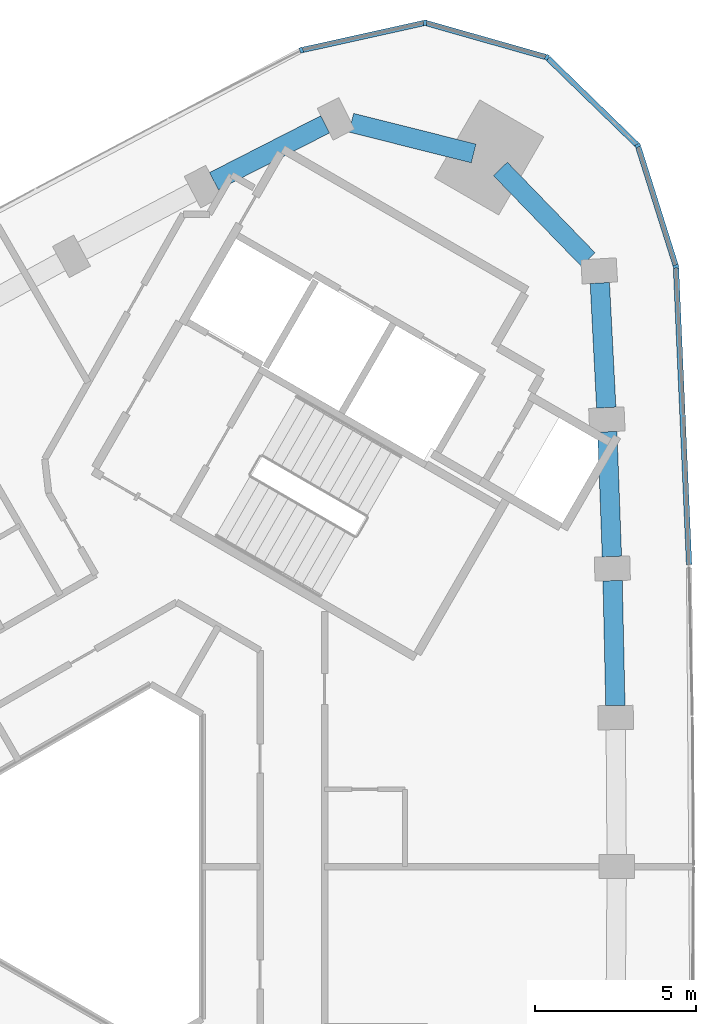
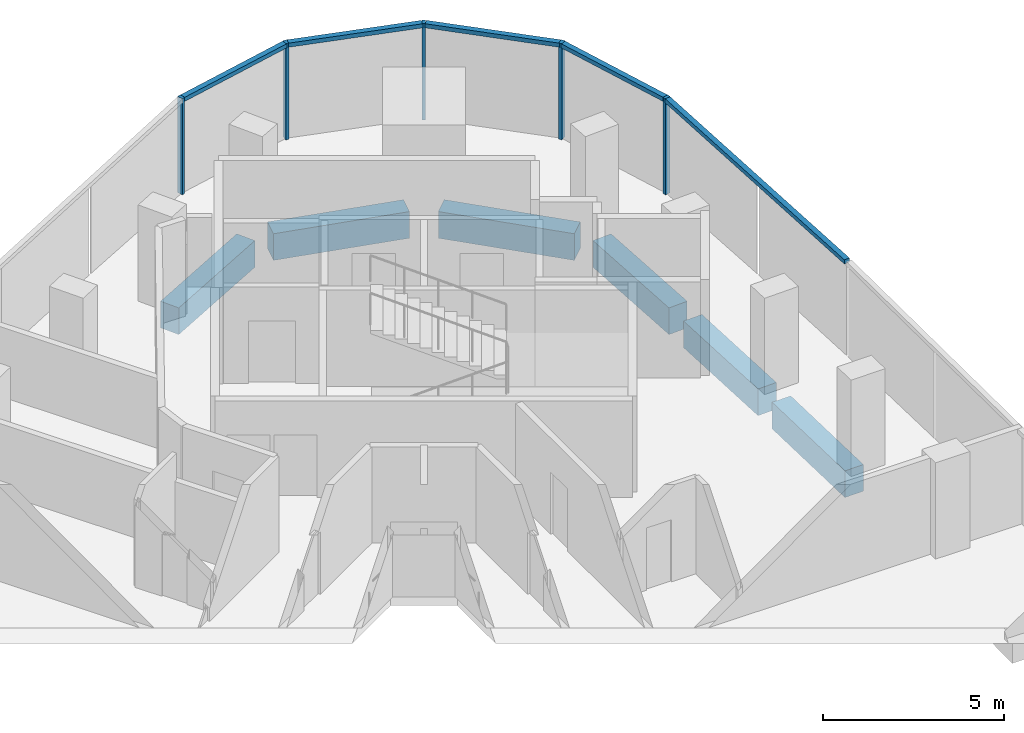
# One storey, part 5 of 11: 10 members, 6 beams, 2 elements without a shape of their own.
"""IFC4 building model written with IfcOpenShell, lengths in metres."""

import ifcopenshell
import ifcopenshell.guid

model = None  # the IFC model being written
_history = None  # IfcOwnerHistory: only IFC2X3 demands one
_inside = {}  # id of a spatial element -> (the spatial element, [elements in it])
_under = {}  # id of a project, library or spatial element -> (it, [spatial elements below it])
_declared = {}  # id of a project -> (the project, [libraries it declares])
_typed = {}  # id of a type object -> (the type object, [elements of that type])
_made_of = {}  # id of a material, layer set ... -> (it, [elements and type objects made of it])


def new_model(schema):
    """Start an empty IFC model of exactly this schema.

    Asked for "IFC4X3", IfcOpenShell would pick the latest addendum, in which some entities
    have other attributes; the version numbers below select the first issue.
    IFC2X3 requires an IfcOwnerHistory on every rooted entity: one is made here for all.
    """
    global model, _history
    if schema == "IFC4X3":
        model = ifcopenshell.file(schema_version=(4, 3, 0, 0))
    else:
        model = ifcopenshell.file(schema=schema)
    _inside.clear()
    _under.clear()
    _declared.clear()
    _typed.clear()
    _made_of.clear()
    _history = None
    if model.schema == "IFC2X3":
        org = make("IfcOrganization", Name="unknown")
        user = make(
            "IfcPersonAndOrganization",
            ThePerson=make("IfcPerson", FamilyName="unknown"),
            TheOrganization=org,
        )
        app = make(
            "IfcApplication",
            ApplicationDeveloper=org,
            Version="unknown",
            ApplicationFullName="unknown",
            ApplicationIdentifier="unknown",
        )
        _history = make(
            "IfcOwnerHistory",
            OwningUser=user,
            OwningApplication=app,
            ChangeAction="ADDED",
            CreationDate=0,
        )
    return model


def make(cls, **values):
    """One entity of the class cls with the attributes given. An attribute that is None is left unset."""
    return model.create_entity(
        cls, **{name: value for name, value in values.items() if value is not None}
    )


def rooted(cls, **values):
    """An entity with a GlobalId (a new one), such as an element, a storey or a relation."""
    return make(cls, GlobalId=ifcopenshell.guid.new(), OwnerHistory=_history, **values)


def si_unit(unit_type, name, prefix=None):
    """IfcSIUnit, for example si_unit("LENGTHUNIT", "METRE", prefix="MILLI")."""
    return make("IfcSIUnit", UnitType=unit_type, Prefix=prefix, Name=name)


def assignment(units):
    """IfcUnitAssignment: the units of a project."""
    return None if units is None else make("IfcUnitAssignment", Units=units)


def point(xyz):
    """IfcCartesianPoint."""
    return None if xyz is None else make("IfcCartesianPoint", Coordinates=xyz)


def direction(xyz):
    """IfcDirection."""
    return None if xyz is None else make("IfcDirection", DirectionRatios=xyz)


def frame(location, z_axis=None, x_axis=None):
    """IfcAxis2Placement3D, a coordinate frame: its origin and axes. An axis left out is left unset."""
    return make(
        "IfcAxis2Placement3D",
        Location=point(location),
        Axis=direction(z_axis),
        RefDirection=direction(x_axis),
    )


def frame_2d(location, x_axis=None):
    """IfcAxis2Placement2D, a coordinate frame in the plane: its origin and x axis."""
    return make(
        "IfcAxis2Placement2D", Location=point(location), RefDirection=direction(x_axis)
    )


def origin():
    """The frame at (0, 0, 0) with its axes left unset."""
    return frame((0.0, 0.0, 0.0))


def origin_2d():
    """The frame at (0, 0) in the plane with its x axis left unset."""
    return frame_2d((0.0, 0.0))


def place(relative_to, where):
    """IfcLocalPlacement: puts the frame where relative to a parent placement (None: the world)."""
    return make(
        "IfcLocalPlacement", PlacementRelTo=relative_to, RelativePlacement=where
    )


def context(
    kind, dimensions, precision=None, world=None, true_north=None, identifier=None
):
    """IfcGeometricRepresentationContext, for example the 3D "Model" context."""
    return make(
        "IfcGeometricRepresentationContext",
        ContextIdentifier=identifier,
        ContextType=kind,
        CoordinateSpaceDimension=dimensions,
        Precision=precision,
        WorldCoordinateSystem=world,
        TrueNorth=true_north,
    )


def subcontext(parent, identifier, kind, view, scale=None):
    """IfcGeometricRepresentationSubContext, for example "Body" below "Model"."""
    return make(
        "IfcGeometricRepresentationSubContext",
        ContextIdentifier=identifier,
        ContextType=kind,
        ParentContext=parent,
        TargetScale=scale,
        TargetView=view,
    )


def project(units=None, contexts=None):
    """IfcProject with its units and contexts."""
    return rooted(
        "IfcProject",
        Name="project",
        RepresentationContexts=contexts,
        UnitsInContext=assignment(units),
    )


def spatial(cls, under=None, at=None, **own):
    """A site, building, storey or space (cls), placed at a placement, below another one or the project."""
    s = rooted(cls, ObjectPlacement=at, **own)
    if under is not None:
        _under.setdefault(under.id(), (under, []))[1].append(s)
    return s


def profile(cls, at=None, kind="AREA", **sizes):
    """A parametric profile (cls). Its sizes go by their IFC names, for example OverallWidth=200.0."""
    return make(cls, ProfileType=kind, Position=at, **sizes)


def rectangle(**sizes):
    """IfcRectangleProfileDef."""
    return profile("IfcRectangleProfileDef", **sizes)


def extrude(swept, where, along, depth):
    """IfcExtrudedAreaSolid: the profile swept, set in the frame where, extruded along a direction by depth."""
    return make(
        "IfcExtrudedAreaSolid",
        SweptArea=swept,
        Position=where,
        ExtrudedDirection=direction(along),
        Depth=depth,
    )


def shape(context_of_items, identifier, shape_type, items):
    """IfcShapeRepresentation: the items that make up one representation, for example the "Body"."""
    return make(
        "IfcShapeRepresentation",
        ContextOfItems=context_of_items,
        RepresentationIdentifier=identifier,
        RepresentationType=shape_type,
        Items=items,
    )


def material(Name=None, Category=None):
    """IfcMaterial."""
    return make("IfcMaterial", Name=Name, Category=Category)


def material_profile(
    of_material, cross_section, Name=None, Category=None, Priority=None
):
    """IfcMaterialProfile: a cross section and its material."""
    return make(
        "IfcMaterialProfile",
        Name=Name,
        Material=of_material,
        Profile=cross_section,
        Priority=Priority,
        Category=Category,
    )


def profile_set(profiles, Name=None, composite=None):
    """IfcMaterialProfileSet."""
    return make(
        "IfcMaterialProfileSet",
        Name=Name,
        MaterialProfiles=profiles,
        CompositeProfile=composite,
    )


def made_of(thing, what):
    """Note that an element or type object is made of a material, layer set ...; save() writes the relation."""
    if what is not None:
        _made_of.setdefault(what.id(), (what, []))[1].append(thing)
    return thing


def type_object(cls, material=None, **own):
    """A type object (cls), such as IfcWallType, which elements share."""
    return made_of(rooted(cls, **own), material)


def element(
    cls,
    number,
    at=None,
    inside=None,
    cuts=None,
    type_object=None,
    material=None,
    context=None,
    identifier="Body",
    shape_type=None,
    held_by="IfcProductDefinitionShape",
    body=None,
    shapes=None,
    **own,
):
    """One element of the class cls, such as IfcWall. Its Tag is "e" and its number.

    at: its placement. inside: the storey or other place that contains it. cuts: it is an
    opening in that element (IfcRelVoidsElement). A single representation is given by context,
    identifier, shape_type and body (its items); several are given by shapes. held_by: the class
    of the entity that holds the representations. save() writes the other relations.
    """
    e = rooted(cls, Tag="e%d" % number, ObjectPlacement=at, **own)
    if body is not None:
        shapes = [shape(context, identifier, shape_type, body)]
    if shapes is not None:
        e.Representation = make(held_by, Representations=shapes)
    if inside is not None:
        _inside.setdefault(inside.id(), (inside, []))[1].append(e)
    if cuts is not None:
        rooted(
            "IfcRelVoidsElement", RelatingBuildingElement=cuts, RelatedOpeningElement=e
        )
    if type_object is not None:
        _typed.setdefault(type_object.id(), (type_object, []))[1].append(e)
    return made_of(e, material)


def aggregate(whole, parts):
    """IfcRelAggregates: a whole, such as a stair, and the parts it consists of."""
    return rooted("IfcRelAggregates", RelatingObject=whole, RelatedObjects=parts)


def save(model, path):
    """Write the relations noted so far, then the file.

    IfcRelAggregates (storeys below a building ...), IfcRelContainedInSpatialStructure (elements
    in a storey), IfcRelDefinesByType, IfcRelAssociatesMaterial and IfcRelDeclares: one each for
    every whole, place, type object, material and project.
    """
    for whole, parts in _under.values():
        aggregate(whole, parts)
    for where, things in _inside.values():
        rooted(
            "IfcRelContainedInSpatialStructure",
            RelatedElements=things,
            RelatingStructure=where,
        )
    for kind, things in _typed.values():
        rooted("IfcRelDefinesByType", RelatedObjects=things, RelatingType=kind)
    for what, things in _made_of.values():
        rooted("IfcRelAssociatesMaterial", RelatedObjects=things, RelatingMaterial=what)
    for by, libraries in _declared.values():
        rooted("IfcRelDeclares", RelatingContext=by, RelatedDefinitions=libraries)
    model.write(path)


model = new_model("IFC4")

# Units and contexts
model_context = context("Model", 3, precision=1e-05, world=origin(), true_north=direction((0.0, 1.0)))
body_context = subcontext(model_context, "Body", "Model", "MODEL_VIEW")
ifc_project = project(units=[si_unit("LENGTHUNIT", "METRE"), si_unit("AREAUNIT", "SQUARE_METRE"), si_unit("VOLUMEUNIT", "CUBIC_METRE"), si_unit("PLANEANGLEUNIT", "RADIAN"), si_unit("MASSUNIT", "GRAM", prefix="KILO")], contexts=[model_context])

# Site, building, storey
site_placement = place(None, origin())
site = spatial("IfcSite", under=ifc_project, at=site_placement, CompositionType="ELEMENT")
building_placement = place(site_placement, origin())
building = spatial("IfcBuilding", under=site, at=building_placement, Name="Tamra Quay Hotel Tower", CompositionType="ELEMENT")
storey_placement = place(building_placement, frame((0.0, 0.0, 235.800048828125)))
storey = spatial("IfcBuildingStorey", under=building, at=storey_placement, Name="L59", CompositionType="ELEMENT", Elevation=235.800048828125)

# Curtain wall, members
ifc_material_1 = material(Name="Aluminium 6063 anodised dark grey", Category="aluminium")
curtain_wall_type_1 = type_object("IfcCurtainWallType", Name="CW1 CURTAIN WALL", PredefinedType="NOTDEFINED", material=ifc_material_1)
curtain_wall_1_placement = place(storey_placement, origin())
curtain_wall_1 = element("IfcCurtainWall", 1, at=curtain_wall_1_placement, inside=storey, type_object=curtain_wall_type_1, Name="CW1 east face L59", PredefinedType="NOTDEFINED")
ifc_material_profile_1 = material_profile(ifc_material_1, rectangle(XDim=0.169921875, YDim=0.10009765625, at=origin_2d()), Name="MULLION 100X170")
ifc_profile_set_1 = profile_set([ifc_material_profile_1], Name="Aluminium 6063 anodised dark grey")
member_type_1 = type_object("IfcMemberType", Name="MULLION CW1 Z5", PredefinedType="MULLION", material=ifc_profile_set_1)
member_1_placement = place(storey_placement, frame((18.50732421875, 18.63037109375, 0.0), z_axis=(0.0, 0.0, 1.0), x_axis=(0.984105369622, 0.177585532857, 0.0)))
member_1 = element("IfcMember", 2, at=member_1_placement, type_object=member_type_1, Name="CW1 mullion L59.E.9", PredefinedType="MULLION", context=body_context, shape_type="SweptSolid", body=[
    extrude(rectangle(XDim=0.169921875, YDim=0.10009765625, at=origin_2d()), origin(), (0.0, 0.0, 1.0), 3.25),
])
member_2_placement = place(storey_placement, frame((17.323974609375, 22.38037109375, 0.0), z_axis=(0.0, 0.0, 1.0), x_axis=(0.851044298206, 0.525093898736, 0.0)))
member_2 = element("IfcMember", 3, at=member_2_placement, type_object=member_type_1, Name="CW1 mullion L59.E.10", PredefinedType="MULLION", context=body_context, shape_type="SweptSolid", body=[
    extrude(rectangle(XDim=0.169921875, YDim=0.10009765625, at=origin_2d()), origin(), (0.0, 0.0, 1.0), 3.25),
])
member_3_placement = place(storey_placement, frame((14.503173828125, 25.1201171875, 0.0), z_axis=(0.0, 0.0, 1.0), x_axis=(0.5, 0.866025403784, 0.0)))
member_3 = element("IfcMember", 4, at=member_3_placement, type_object=member_type_1, Name="CW1 mullion L59.E.11", PredefinedType="MULLION", context=body_context, shape_type="SweptSolid", body=[
    extrude(rectangle(XDim=0.169921875, YDim=0.10009765625, at=origin_2d()), origin(), (0.0, 0.0, 1.0), 3.25),
])
member_4_placement = place(storey_placement, frame((10.719970703125, 26.193359375, 0.0), z_axis=(0.0, 0.0, 1.0), x_axis=(0.029222506575, 0.999572931361, 0.0)))
member_4 = element("IfcMember", 5, at=member_4_placement, type_object=member_type_1, Name="CW1 mullion L59.E.12", PredefinedType="MULLION", context=body_context, shape_type="SweptSolid", body=[
    extrude(rectangle(XDim=0.169921875, YDim=0.10009765625, at=origin_2d()), origin(), (0.0, 0.0, 1.0), 3.25),
])

# Curtain wall, member
curtain_wall_type_2 = type_object("IfcCurtainWallType", Name="CW2 CURTAIN WALL", PredefinedType="NOTDEFINED", material=ifc_material_1)
curtain_wall_2_placement = place(storey_placement, origin())
curtain_wall_2 = element("IfcCurtainWall", 6, at=curtain_wall_2_placement, inside=storey, type_object=curtain_wall_type_2, Name="CW2 north-west face L59", PredefinedType="NOTDEFINED")
ifc_material_profile_2 = material_profile(ifc_material_1, rectangle(XDim=0.169921875, YDim=0.10009765625, at=origin_2d()), Name="MULLION 100X170")
ifc_profile_set_2 = profile_set([ifc_material_profile_2], Name="Aluminium 6063 anodised dark grey")
member_type_2 = type_object("IfcMemberType", Name="MULLION CW2 Z5", PredefinedType="MULLION", material=ifc_profile_set_2)
member_5_placement = place(storey_placement, frame((6.880615234375, 25.343017578125, 0.0), z_axis=(0.0, 0.0, 1.0), x_axis=(-0.338259102012, 0.941053016522, 0.0)))
member_5 = element("IfcMember", 7, at=member_5_placement, type_object=member_type_2, Name="CW2 mullion L59.NW.1", PredefinedType="MULLION", context=body_context, shape_type="SweptSolid", body=[
    extrude(rectangle(XDim=0.169921875, YDim=0.10009765625, at=origin_2d()), origin(), (0.0, 0.0, 1.0), 3.25),
])
aggregate(curtain_wall_2, [member_5])

# Beams
ifc_material_2 = material(Name="Concrete M60", Category="concrete")
ifc_material_profile_3 = material_profile(ifc_material_2, rectangle(XDim=0.60009765625, YDim=0.89990234375, at=origin_2d()), Name="SPANDREL BEAM RC 600x900")
ifc_profile_set_3 = profile_set([ifc_material_profile_3], Name="Concrete M60")
beam_type = type_object("IfcBeamType", Name="SPANDREL BEAM RC 600x900", PredefinedType="SPANDREL", material=ifc_profile_set_3)
beam_1_placement = place(storey_placement, frame((16.626953125, 5.0, -0.800048828125), z_axis=(-0.022047440235, 0.999756925647, 0.0), x_axis=(-0.999756925647, -0.022047440235, 0.0)))
element("IfcBeam", 8, at=beam_1_placement, inside=storey, type_object=beam_type, Name="BM-SP5-005-L59", PredefinedType="SPANDREL", context=body_context, shape_type="SweptSolid", body=[
    extrude(rectangle(XDim=0.60009765625, YDim=0.89990234375, at=origin_2d()), origin(), (0.0, 0.0, 1.0), 3.875732421875),
])
beam_2_placement = place(storey_placement, frame((16.51953125, 9.62451171875, -0.800048828125), z_axis=(-0.036732019634, 0.999325151657, 0.0), x_axis=(-0.999325151657, -0.036732019634, 0.0)))
element("IfcBeam", 9, at=beam_2_placement, inside=storey, type_object=beam_type, Name="BM-SP5-006-L59", PredefinedType="SPANDREL", context=body_context, shape_type="SweptSolid", body=[
    extrude(rectangle(XDim=0.60009765625, YDim=0.89990234375, at=origin_2d()), origin(), (0.0, 0.0, 1.0), 3.875),
])
beam_3_placement = place(storey_placement, frame((16.343994140625, 14.24609375, -0.800048828125), z_axis=(-0.051404854824, 0.998677896471, 0.0), x_axis=(-0.998677896471, -0.051404854824, 0.0)))
element("IfcBeam", 10, at=beam_3_placement, inside=storey, type_object=beam_type, Name="BM-SP5-007-L59", PredefinedType="SPANDREL", context=body_context, shape_type="SweptSolid", body=[
    extrude(rectangle(XDim=0.60009765625, YDim=0.89990234375, at=origin_2d()), origin(), (0.0, 0.0, 1.0), 3.87548828125),
])
beam_4_placement = place(storey_placement, frame((15.781005859375, 18.846435546875, -0.800048828125), z_axis=(-0.69594408001, 0.718095980701, 0.0), x_axis=(-0.718095980701, -0.69594408001, 0.0)))
element("IfcBeam", 11, at=beam_4_placement, inside=storey, type_object=beam_type, Name="BM-SP5-008-L59", PredefinedType="SPANDREL", context=body_context, shape_type="SweptSolid", body=[
    extrude(rectangle(XDim=0.60009765625, YDim=0.89990234375, at=origin_2d()), origin(), (0.0, 0.0, 1.0), 3.91259765625),
])
beam_5_placement = place(storey_placement, frame((12.225830078125, 22.136474609375, -0.800048828125), z_axis=(-0.969848171666, 0.243709917558, 0.0), x_axis=(-0.243709917558, -0.969848171666, 0.0)))
element("IfcBeam", 12, at=beam_5_placement, inside=storey, type_object=beam_type, Name="BM-SP5-009-L59", PredefinedType="SPANDREL", context=body_context, shape_type="SweptSolid", body=[
    extrude(rectangle(XDim=0.60009765625, YDim=0.89990234375, at=origin_2d()), origin(), (0.0, 0.0, 1.0), 3.912841796875),
])
beam_6_placement = place(storey_placement, frame((7.616943359375, 23.0400390625, -0.800048828125), z_axis=(-0.890602550436, -0.454782472349, 0.0), x_axis=(0.454782472349, -0.890602550436, 0.0)))
element("IfcBeam", 13, at=beam_6_placement, inside=storey, type_object=beam_type, Name="BM-SP5-010-L59", PredefinedType="SPANDREL", context=body_context, shape_type="SweptSolid", body=[
    extrude(rectangle(XDim=0.60009765625, YDim=0.89990234375, at=origin_2d()), origin(), (0.0, 0.0, 1.0), 3.87548828125),
])

# Member
ifc_material_profile_4 = material_profile(ifc_material_1, rectangle(XDim=0.169921875, YDim=0.139892578125, at=origin_2d()), Name="TRANSOM 170X140")
ifc_profile_set_4 = profile_set([ifc_material_profile_4], Name="Aluminium 6063 anodised dark grey")
member_type_3 = type_object("IfcMemberType", Name="TRANSOM CW1 Z5", PredefinedType="USERDEFINED", material=ifc_profile_set_4)
member_6_placement = place(storey_placement, frame((18.916259765625, 9.368896484375, 3.179931640625), z_axis=(-0.044086433995, 0.999027720505, 0.0), x_axis=(-0.999027720505, -0.044086433995, 0.0)))
member_6 = element("IfcMember", 14, at=member_6_placement, type_object=member_type_3, Name="CW1 transom L59.E.7", ObjectType="TRANSOM", PredefinedType="USERDEFINED", context=body_context, shape_type="SweptSolid", body=[
    extrude(rectangle(XDim=0.169921875, YDim=0.139892578125, at=origin_2d()), origin(), (0.0, 0.0, 1.0), 9.220458984375),
])

member_7_placement = place(storey_placement, frame((18.4921875, 18.677978515625, 3.179931640625), z_axis=(-0.300878302807, 0.953662543513, 0.0), x_axis=(-0.953662543513, -0.300878302807, 0.0)))
member_7 = element("IfcMember", 15, at=member_7_placement, type_object=member_type_3, Name="CW1 transom L59.E.9", ObjectType="TRANSOM", PredefinedType="USERDEFINED", context=body_context, shape_type="SweptSolid", body=[
    extrude(rectangle(XDim=0.169921875, YDim=0.139892578125, at=origin_2d()), origin(), (0.0, 0.0, 1.0), 3.832275390625),
])

member_8_placement = place(storey_placement, frame((17.2880859375, 22.415283203125, 3.179931640625), z_axis=(-0.717352155518, 0.696710761345, 0.0), x_axis=(-0.696710761345, -0.717352155518, 0.0)))
member_8 = element("IfcMember", 16, at=member_8_placement, type_object=member_type_3, Name="CW1 transom L59.E.10", ObjectType="TRANSOM", PredefinedType="USERDEFINED", context=body_context, shape_type="SweptSolid", body=[
    extrude(rectangle(XDim=0.169921875, YDim=0.139892578125, at=origin_2d()), origin(), (0.0, 0.0, 1.0), 3.832275390625),
])

member_9_placement = place(storey_placement, frame((14.455078125, 25.1337890625, 3.179931640625), z_axis=(-0.962041469084, 0.272903301123, 0.0), x_axis=(-0.272903301123, -0.962041469084, 0.0)))
member_9 = element("IfcMember", 17, at=member_9_placement, type_object=member_type_3, Name="CW1 transom L59.E.11", ObjectType="TRANSOM", PredefinedType="USERDEFINED", context=body_context, shape_type="SweptSolid", body=[
    extrude(rectangle(XDim=0.169921875, YDim=0.139892578125, at=origin_2d()), origin(), (0.0, 0.0, 1.0), 3.83251953125),
])

member_10_placement = place(storey_placement, frame((10.671142578125, 26.182373046875, 3.179931640625), z_axis=(-0.976345686568, -0.216215402598, 0.0), x_axis=(0.216215402598, -0.976345686568, 0.0)))
member_10 = element("IfcMember", 18, at=member_10_placement, type_object=member_type_3, Name="CW1 transom L59.E.12", ObjectType="TRANSOM", PredefinedType="USERDEFINED", context=body_context, shape_type="SweptSolid", body=[
    extrude(rectangle(XDim=0.169921875, YDim=0.139892578125, at=origin_2d()), origin(), (0.0, 0.0, 1.0), 3.832275390625),
])

aggregate(curtain_wall_1, [member_6, member_1, member_7, member_2, member_8, member_3, member_9, member_4, member_10])

save(model, "model.ifc")
